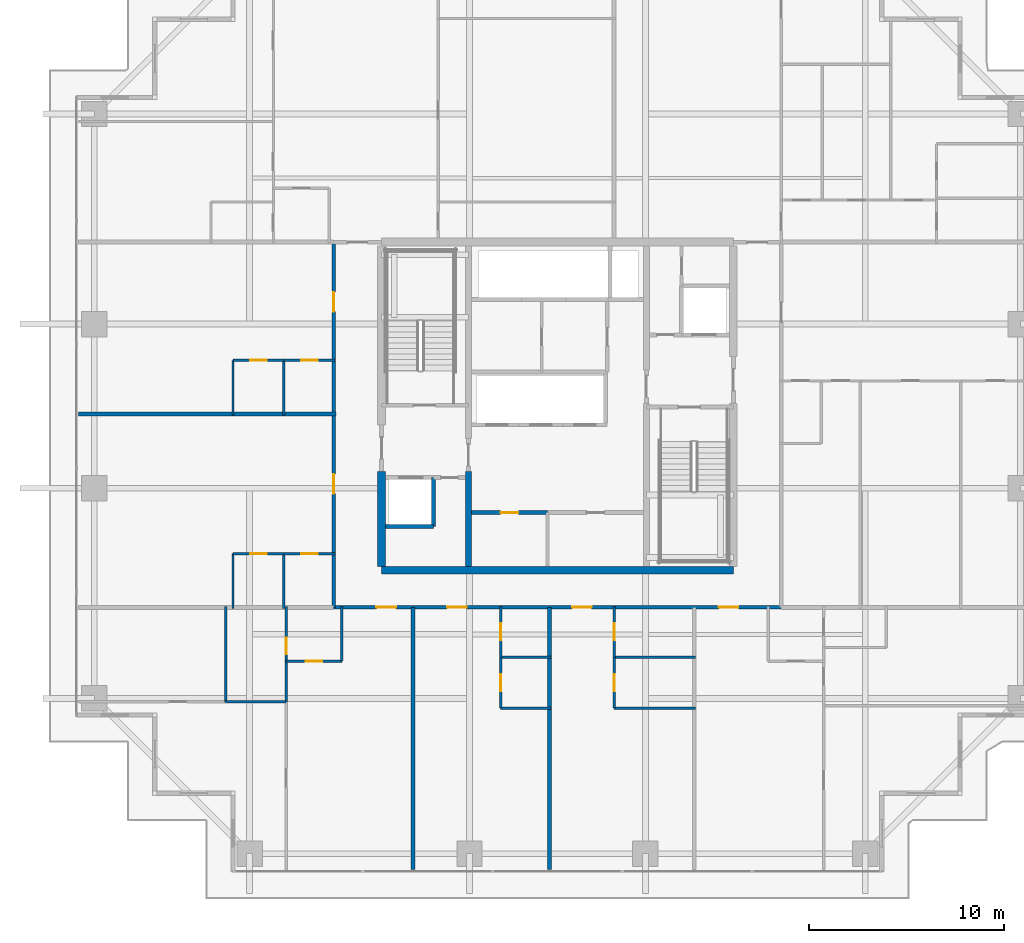
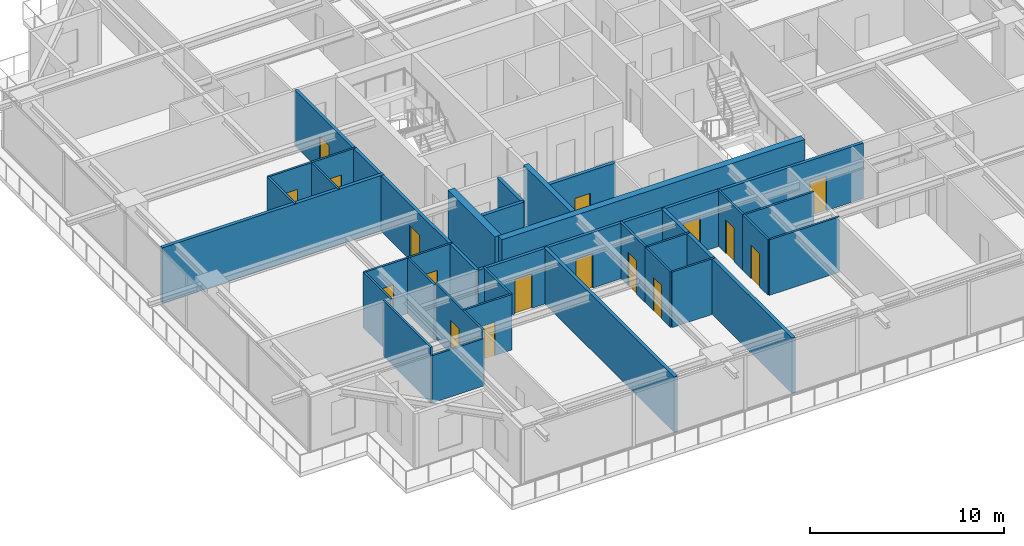
# One storey, part 23 of 33: 32 walls, 17 doors, 17 openings.
"""IFC4 building model written with IfcOpenShell, lengths in metres."""

from ifc_helpers import new_model, si_unit, direction, frame, frame_2d, origin, place, context, subcontext, project, spatial, rectangle, extrude, source, transform, mapped, material, layer, layer_set, type_object, element, fill, save


model = new_model("IFC4")

# Units and contexts
model_context = context("Model", 3, precision=1e-05, world=origin(), true_north=direction((0.0, 1.0)))
body_context = subcontext(model_context, "Body", "Model", "MODEL_VIEW")
ifc_project = project(units=[si_unit("LENGTHUNIT", "METRE"), si_unit("AREAUNIT", "SQUARE_METRE"), si_unit("VOLUMEUNIT", "CUBIC_METRE"), si_unit("PLANEANGLEUNIT", "RADIAN"), si_unit("MASSUNIT", "GRAM", prefix="KILO")], contexts=[model_context])

# Site, building, storey
site_placement = place(None, origin())
site = spatial("IfcSite", under=ifc_project, at=site_placement, CompositionType="ELEMENT")
building_placement = place(site_placement, origin())
building = spatial("IfcBuilding", under=site, at=building_placement, Name="Serunith Strait Residences", CompositionType="ELEMENT")
storey_placement = place(building_placement, frame((0.0, 0.0, 150.14990234375)))
storey = spatial("IfcBuildingStorey", under=building, at=storey_placement, Name="L37", CompositionType="ELEMENT", Elevation=150.14990234375)

# Wall, openings, doors
ifc_material_1 = material(Name="Fire-rated acoustic gypsum partition")
ifc_layer_1 = layer(ifc_material_1, 0.179931640625, Name="Fire-rated acoustic gypsum partition")
ifc_layer_set_1 = layer_set([ifc_layer_1], Name="Fire-rated acoustic gypsum partition")
wall_type_1 = type_object("IfcWallType", Name="IW-CORR-180", PredefinedType="PARTITIONING", material=ifc_layer_set_1)
wall_1_placement = place(storey_placement, frame((20.951904296875, 14.89990234375, 0.0), z_axis=(0.0, 0.0, 1.0), x_axis=(1.0, 0.0, 0.0)))
wall_1 = element("IfcWall", 1, at=wall_1_placement, inside=storey, type_object=wall_type_1, Name="L37 Partition Wall 027", PredefinedType="PARTITIONING", context=body_context, shape_type="SweptSolid", body=[
    extrude(rectangle(XDim=22.89599609375, YDim=0.179931640625, at=frame_2d((11.447998046875, 0.0))), origin(), (0.0, 0.0, 1.0), 3.489990234375),
])
opening_1_placement = place(wall_1_placement, frame((2.18994140625, 0.0, 0.0)))
opening_1 = element("IfcOpeningElement", 2, at=opening_1_placement, cuts=wall_1, Name="Opening D-APT1000", PredefinedType="OPENING", context=body_context, shape_type="SweptSolid", body=[
    extrude(rectangle(XDim=1.0, YDim=2.14990234375, at=frame_2d((0.5, 1.074951171875))), frame((0.0, 0.10009765625, 0.0), z_axis=(0.0, -1.0, 0.0), x_axis=(1.0, 0.0, 0.0)), (0.0, 0.0, 1.0), 0.199951171875),
])
opening_2_placement = place(wall_1_placement, frame((5.802001953125, 0.0, 0.0)))
opening_2 = element("IfcOpeningElement", 3, at=opening_2_placement, cuts=wall_1, Name="Opening D-APT1000", PredefinedType="OPENING", context=body_context, shape_type="SweptSolid", body=[
    extrude(rectangle(XDim=1.0, YDim=2.14990234375, at=frame_2d((0.5, 1.074951171875))), frame((0.0, 0.10009765625, 0.0), z_axis=(0.0, -1.0, 0.0), x_axis=(1.0, 0.0, 0.0)), (0.0, 0.0, 1.0), 0.199951171875),
])
opening_3_placement = place(wall_1_placement, frame((12.196044921875, 0.0, 0.0)))
opening_3 = element("IfcOpeningElement", 4, at=opening_3_placement, cuts=wall_1, Name="Opening D-APT1000", PredefinedType="OPENING", context=body_context, shape_type="SweptSolid", body=[
    extrude(rectangle(XDim=1.0, YDim=2.14990234375, at=frame_2d((0.5, 1.074951171875))), frame((0.0, 0.10009765625, 0.0), z_axis=(0.0, -1.0, 0.0), x_axis=(1.0, 0.0, 0.0)), (0.0, 0.0, 1.0), 0.199951171875),
])
opening_4_placement = place(wall_1_placement, frame((19.7060546875, 0.0, 0.0)))
opening_4 = element("IfcOpeningElement", 5, at=opening_4_placement, cuts=wall_1, Name="Opening D-APT1000", PredefinedType="OPENING", context=body_context, shape_type="SweptSolid", body=[
    extrude(rectangle(XDim=1.0, YDim=2.14990234375, at=frame_2d((0.5, 1.074951171875))), frame((0.0, 0.10009765625, 0.0), z_axis=(0.0, -1.0, 0.0), x_axis=(1.0, 0.0, 0.0)), (0.0, 0.0, 1.0), 0.199951171875),
])
ifc_material_2 = material(Name="Solid timber engineered fire door", Category="wood")
door_type_1 = type_object("IfcDoorType", Name="ID-APT-1000", OperationType="NOTDEFINED", PredefinedType="DOOR", material=ifc_material_2)
shared_shape_1 = source(origin(), body_context, "Body", "SweptSolid", [
    extrude(rectangle(XDim=1.0, YDim=2.14990234375, at=frame_2d((0.5, 1.074951171875))), frame((0.0, 0.02490234375, 0.0), z_axis=(0.0, -1.0, 0.0), x_axis=(1.0, 0.0, 0.0)), (0.0, 0.0, 1.0), 0.050048828125),
])
door_1_placement = place(opening_1_placement, origin())
door_1 = element("IfcDoor", 6, at=door_1_placement, inside=storey, type_object=door_type_1, Name="L37 Unit 01 Entrance Door", OperationType="SINGLE_SWING_LEFT", OverallHeight=2.14990234375, OverallWidth=1.0, PredefinedType="DOOR", context=body_context, shape_type="MappedRepresentation", body=[
    mapped(shared_shape_1, transform((0.0, 0.0, 0.0), scale=1.0)),
])
fill(opening_1, door_1)
door_2_placement = place(opening_2_placement, origin())
door_2 = element("IfcDoor", 7, at=door_2_placement, inside=storey, type_object=door_type_1, Name="L37 Unit 02 Entrance Door", OperationType="SINGLE_SWING_RIGHT", OverallHeight=2.14990234375, OverallWidth=1.0, PredefinedType="DOOR", context=body_context, shape_type="MappedRepresentation", body=[
    mapped(shared_shape_1, transform((0.0, 0.0, 0.0), scale=1.0)),
])
fill(opening_2, door_2)
door_3_placement = place(opening_3_placement, origin())
door_3 = element("IfcDoor", 8, at=door_3_placement, inside=storey, type_object=door_type_1, Name="L37 Unit 03 Entrance Door", OperationType="SINGLE_SWING_LEFT", OverallHeight=2.14990234375, OverallWidth=1.0, PredefinedType="DOOR", context=body_context, shape_type="MappedRepresentation", body=[
    mapped(shared_shape_1, transform((0.0, 0.0, 0.0), scale=1.0)),
])
fill(opening_3, door_3)
door_4_placement = place(opening_4_placement, origin())
door_4 = element("IfcDoor", 9, at=door_4_placement, inside=storey, type_object=door_type_1, Name="L37 Unit 04 Entrance Door", OperationType="SINGLE_SWING_RIGHT", OverallHeight=2.14990234375, OverallWidth=1.0, PredefinedType="DOOR", context=body_context, shape_type="MappedRepresentation", body=[
    mapped(shared_shape_1, transform((0.0, 0.0, 0.0), scale=1.0)),
])
fill(opening_4, door_4)

wall_2_placement = place(storey_placement, frame((20.949951171875, 14.89990234375, 0.0), z_axis=(0.0, 0.0, 1.0), x_axis=(0.0, 1.0, 0.0)))
wall_2 = element("IfcWall", 10, at=wall_2_placement, inside=storey, type_object=wall_type_1, Name="L37 Partition Wall 028", PredefinedType="PARTITIONING", context=body_context, shape_type="SweptSolid", body=[
    extrude(rectangle(XDim=18.7001953125, YDim=0.179931640625, at=frame_2d((9.35009765625, 0.0))), origin(), (0.0, 0.0, 1.0), 3.489990234375),
])
opening_5_placement = place(wall_2_placement, frame((5.822998046875, 0.0, 0.0)))
opening_5 = element("IfcOpeningElement", 11, at=opening_5_placement, cuts=wall_2, Name="Opening D-APT1000", PredefinedType="OPENING", context=body_context, shape_type="SweptSolid", body=[
    extrude(rectangle(XDim=1.0, YDim=2.14990234375, at=frame_2d((0.5, 1.074951171875))), frame((0.0, 0.10009765625, 0.0), z_axis=(0.0, -1.0, 0.0), x_axis=(1.0, 0.0, 0.0)), (0.0, 0.0, 1.0), 0.199951171875),
])
opening_6_placement = place(wall_2_placement, frame((15.134033203125, 0.0, 0.0)))
opening_6 = element("IfcOpeningElement", 12, at=opening_6_placement, cuts=wall_2, Name="Opening D-APT1000", PredefinedType="OPENING", context=body_context, shape_type="SweptSolid", body=[
    extrude(rectangle(XDim=1.0, YDim=2.14990234375, at=frame_2d((0.5, 1.074951171875))), frame((0.0, 0.10009765625, 0.0), z_axis=(0.0, -1.0, 0.0), x_axis=(1.0, 0.0, 0.0)), (0.0, 0.0, 1.0), 0.199951171875),
])
door_5_placement = place(opening_5_placement, origin())
door_5 = element("IfcDoor", 13, at=door_5_placement, inside=storey, type_object=door_type_1, Name="L37 Unit 07 Entrance Door", OperationType="SINGLE_SWING_LEFT", OverallHeight=2.14990234375, OverallWidth=1.0, PredefinedType="DOOR", context=body_context, shape_type="MappedRepresentation", body=[
    mapped(shared_shape_1, transform((0.0, 0.0, 0.0), scale=1.0)),
])
fill(opening_5, door_5)
door_6_placement = place(opening_6_placement, origin())
door_6 = element("IfcDoor", 14, at=door_6_placement, inside=storey, type_object=door_type_1, Name="L37 Unit 08 Entrance Door", OperationType="SINGLE_SWING_RIGHT", OverallHeight=2.14990234375, OverallWidth=1.0, PredefinedType="DOOR", context=body_context, shape_type="MappedRepresentation", body=[
    mapped(shared_shape_1, transform((0.0, 0.0, 0.0), scale=1.0)),
])
fill(opening_6, door_6)

# Wall, opening, door
ifc_material_3 = material(Name="Lightweight steel-stud gypsum partition", Category="steel")
ifc_layer_2 = layer(ifc_material_3, 0.1201171875, Name="Lightweight steel-stud gypsum partition")
ifc_layer_set_2 = layer_set([ifc_layer_2], Name="Lightweight steel-stud gypsum partition")
wall_type_2 = type_object("IfcWallType", Name="IW-PART-120", PredefinedType="PARTITIONING", material=ifc_layer_set_2)
wall_3_placement = place(storey_placement, frame((18.52001953125, 12.14990234375, 0.0), z_axis=(0.0, 0.0, 1.0), x_axis=(1.0, 0.0, 0.0)))
wall_3 = element("IfcWall", 15, at=wall_3_placement, inside=storey, type_object=wall_type_2, Name="L37 Partition Wall 032", PredefinedType="PARTITIONING", context=body_context, shape_type="SweptSolid", body=[
    extrude(rectangle(XDim=2.85009765625, YDim=0.1201171875, at=frame_2d((1.425048828125, 0.0))), origin(), (0.0, 0.0, 1.0), 3.489990234375),
])
opening_7_placement = place(wall_3_placement, frame((1.0, 0.0, 0.0)))
opening_7 = element("IfcOpeningElement", 16, at=opening_7_placement, cuts=wall_3, Name="Opening D-RM850", PredefinedType="OPENING", context=body_context, shape_type="SweptSolid", body=[
    extrude(rectangle(XDim=0.85009765625, YDim=2.10009765625, at=frame_2d((0.425048828125, 1.050048828125))), frame((0.0, 0.070068359375, 0.0), z_axis=(0.0, -1.0, 0.0), x_axis=(1.0, 0.0, 0.0)), (0.0, 0.0, 1.0), 0.14013671875),
])
ifc_material_4 = material(Name="Engineered timber flush study and kitchen door", Category="wood")
door_type_2 = type_object("IfcDoorType", Name="ID-ROOM-850", OperationType="NOTDEFINED", PredefinedType="DOOR", material=ifc_material_4)
shared_shape_2 = source(origin(), body_context, "Body", "SweptSolid", [
    extrude(rectangle(XDim=0.85009765625, YDim=2.10009765625, at=frame_2d((0.425048828125, 1.050048828125))), frame((0.0, 0.02490234375, 0.0), z_axis=(0.0, -1.0, 0.0), x_axis=(1.0, 0.0, 0.0)), (0.0, 0.0, 1.0), 0.050048828125),
])
door_7_placement = place(opening_7_placement, origin())
door_7 = element("IfcDoor", 17, at=door_7_placement, inside=storey, type_object=door_type_2, Name="L37 Kitchen 3701 Door", OperationType="SINGLE_SWING_RIGHT", OverallHeight=2.10009765625, OverallWidth=0.85009765625, PredefinedType="DOOR", context=body_context, shape_type="MappedRepresentation", body=[
    mapped(shared_shape_2, transform((0.0, 0.0, 0.0), scale=1.0)),
])
fill(opening_7, door_7)

# Walls
wall_4_placement = place(storey_placement, frame((21.3701171875, 12.14990234375, 0.0), z_axis=(0.0, 0.0, 1.0), x_axis=(0.0, 1.0, 0.0)))
element("IfcWall", 18, at=wall_4_placement, inside=storey, type_object=wall_type_2, Name="L37 Partition Wall 033", PredefinedType="PARTITIONING", context=body_context, shape_type="SweptSolid", body=[
    extrude(rectangle(XDim=2.81005859375, YDim=0.1201171875, at=frame_2d((1.405029296875, 0.0))), origin(), (0.0, 0.0, 1.0), 3.489990234375),
])
wall_5_placement = place(storey_placement, frame((15.422119140625, 10.069091796875, 0.0), z_axis=(0.0, 0.0, 1.0), x_axis=(1.0, 0.0, 0.0)))
element("IfcWall", 19, at=wall_5_placement, inside=storey, type_object=wall_type_2, Name="L37 Partition Wall 036", PredefinedType="PARTITIONING", context=body_context, shape_type="SweptSolid", body=[
    extrude(rectangle(XDim=3.097900390625, YDim=0.1201171875, at=frame_2d((1.548828125, 0.0))), origin(), (0.0, 0.0, 1.0), 2.97216796875),
])
wall_6_placement = place(storey_placement, frame((15.419921875, 10.069091796875, 0.0), z_axis=(0.0, 0.0, 1.0), x_axis=(0.0, 1.0, 0.0)))
element("IfcWall", 20, at=wall_6_placement, inside=storey, type_object=wall_type_2, Name="L37 Partition Wall 037", PredefinedType="PARTITIONING", context=body_context, shape_type="SweptSolid", body=[
    extrude(rectangle(XDim=4.890869140625, YDim=0.1201171875, at=frame_2d((2.4453125, 0.0))), origin(), (0.0, 0.0, 1.0), 3.489990234375),
])

# Wall, opening, door
wall_7_placement = place(storey_placement, frame((18.52001953125, 10.071044921875, 0.0), z_axis=(0.0, 0.0, 1.0), x_axis=(0.0, 1.0, 0.0)))
wall_7 = element("IfcWall", 21, at=wall_7_placement, inside=storey, type_object=wall_type_2, Name="L37 Partition Wall 038", PredefinedType="PARTITIONING", context=body_context, shape_type="SweptSolid", body=[
    extrude(rectangle(XDim=4.888916015625, YDim=0.1201171875, at=frame_2d((2.4443359375, 0.0))), origin(), (0.0, 0.0, 1.0), 3.489990234375),
])
opening_8_placement = place(wall_7_placement, frame((2.43994140625, 0.0, 0.0)))
opening_8 = element("IfcOpeningElement", 22, at=opening_8_placement, cuts=wall_7, Name="Opening D-BTH850", PredefinedType="OPENING", context=body_context, shape_type="SweptSolid", body=[
    extrude(rectangle(XDim=0.85009765625, YDim=2.10009765625, at=frame_2d((0.425048828125, 1.050048828125))), frame((0.0, 0.070068359375, 0.0), z_axis=(0.0, -1.0, 0.0), x_axis=(1.0, 0.0, 0.0)), (0.0, 0.0, 1.0), 0.14013671875),
])
ifc_material_5 = material(Name="Moisture-resistant timber bathroom door", Category="wood")
door_type_3 = type_object("IfcDoorType", Name="ID-BATH-850", OperationType="NOTDEFINED", PredefinedType="DOOR", material=ifc_material_5)
door_8_placement = place(opening_8_placement, origin())
door_8 = element("IfcDoor", 23, at=door_8_placement, inside=storey, type_object=door_type_3, Name="L37 Bathroom 3701 Door", OperationType="SINGLE_SWING_LEFT", OverallHeight=2.10009765625, OverallWidth=0.85009765625, PredefinedType="DOOR", context=body_context, shape_type="MappedRepresentation", body=[
    mapped(shared_shape_2, transform((0.0, 0.0, 0.0), scale=1.0)),
])
fill(opening_8, door_8)

wall_8_placement = place(storey_placement, frame((29.5, 9.75, 0.0), z_axis=(0.0, 0.0, 1.0), x_axis=(0.0, 1.0, 0.0)))
wall_8 = element("IfcWall", 24, at=wall_8_placement, inside=storey, type_object=wall_type_2, Name="L37 Partition Wall 039", PredefinedType="PARTITIONING", context=body_context, shape_type="SweptSolid", body=[
    extrude(rectangle(XDim=2.60009765625, YDim=0.1201171875, at=frame_2d((1.300048828125, 0.0))), origin(), (0.0, 0.0, 1.0), 3.489990234375),
])
opening_9_placement = place(wall_8_placement, frame((0.875, 0.0, 0.0)))
opening_9 = element("IfcOpeningElement", 25, at=opening_9_placement, cuts=wall_8, Name="Opening D-RM850", PredefinedType="OPENING", context=body_context, shape_type="SweptSolid", body=[
    extrude(rectangle(XDim=0.85009765625, YDim=2.10009765625, at=frame_2d((0.425048828125, 1.050048828125))), frame((0.0, 0.070068359375, 0.0), z_axis=(0.0, -1.0, 0.0), x_axis=(1.0, 0.0, 0.0)), (0.0, 0.0, 1.0), 0.14013671875),
])
door_9_placement = place(opening_9_placement, origin())
door_9 = element("IfcDoor", 26, at=door_9_placement, inside=storey, type_object=door_type_2, Name="L37 Kitchen 3702 Door", OperationType="SINGLE_SWING_RIGHT", OverallHeight=2.10009765625, OverallWidth=0.85009765625, PredefinedType="DOOR", context=body_context, shape_type="MappedRepresentation", body=[
    mapped(shared_shape_2, transform((0.0, 0.0, 0.0), scale=1.0)),
])
fill(opening_9, door_9)

wall_9_placement = place(storey_placement, frame((29.5, 12.35205078125, 0.0), z_axis=(0.0, 0.0, 1.0), x_axis=(0.0, 1.0, 0.0)))
wall_9 = element("IfcWall", 27, at=wall_9_placement, inside=storey, type_object=wall_type_2, Name="L37 Partition Wall 040", PredefinedType="PARTITIONING", context=body_context, shape_type="SweptSolid", body=[
    extrude(rectangle(XDim=2.60791015625, YDim=0.1201171875, at=frame_2d((1.303955078125, 0.0))), origin(), (0.0, 0.0, 1.0), 3.489990234375),
])
opening_10_placement = place(wall_9_placement, frame((0.87890625, 0.0, 0.0)))
opening_10 = element("IfcOpeningElement", 28, at=opening_10_placement, cuts=wall_9, Name="Opening D-BTH850", PredefinedType="OPENING", context=body_context, shape_type="SweptSolid", body=[
    extrude(rectangle(XDim=0.85009765625, YDim=2.10009765625, at=frame_2d((0.425048828125, 1.050048828125))), frame((0.0, 0.070068359375, 0.0), z_axis=(0.0, -1.0, 0.0), x_axis=(1.0, 0.0, 0.0)), (0.0, 0.0, 1.0), 0.14013671875),
])
door_10_placement = place(opening_10_placement, origin())
door_10 = element("IfcDoor", 29, at=door_10_placement, inside=storey, type_object=door_type_3, Name="L37 Bathroom 3702 Door", OperationType="SINGLE_SWING_LEFT", OverallHeight=2.10009765625, OverallWidth=0.85009765625, PredefinedType="DOOR", context=body_context, shape_type="MappedRepresentation", body=[
    mapped(shared_shape_2, transform((0.0, 0.0, 0.0), scale=1.0)),
])
fill(opening_10, door_10)

# Walls
for number, where, z_axis, x_axis, name in (
    (30, (29.5, 12.35009765625, 0.0), (0.0, 0.0, 1.0), (1.0, 0.0, 0.0), "L37 Partition Wall 041"),
    (31, (29.5, 9.75, 0.0), (0.0, 0.0, 1.0), (1.0, 0.0, 0.0), "L37 Partition Wall 042"),
):
    element("IfcWall", number, at=place(storey_placement, frame(where, z_axis=z_axis, x_axis=x_axis)), inside=storey, type_object=wall_type_2, Name=name, PredefinedType="PARTITIONING", context=body_context, shape_type="SweptSolid", body=[
        extrude(rectangle(XDim=2.56005859375, YDim=0.1201171875, at=frame_2d((1.280029296875, 0.0))), origin(), (0.0, 0.0, 1.0), 3.489990234375),
    ])

# Wall, opening, door
wall_10_placement = place(storey_placement, frame((35.300048828125, 9.75, 0.0), z_axis=(0.0, 0.0, 1.0), x_axis=(0.0, 1.0, 0.0)))
wall_10 = element("IfcWall", 32, at=wall_10_placement, inside=storey, type_object=wall_type_2, Name="L37 Partition Wall 043", PredefinedType="PARTITIONING", context=body_context, shape_type="SweptSolid", body=[
    extrude(rectangle(XDim=2.60009765625, YDim=0.1201171875, at=frame_2d((1.300048828125, 0.0))), origin(), (0.0, 0.0, 1.0), 3.489990234375),
])
opening_11_placement = place(wall_10_placement, frame((0.875, 0.0, 0.0)))
opening_11 = element("IfcOpeningElement", 33, at=opening_11_placement, cuts=wall_10, Name="Opening D-RM850", PredefinedType="OPENING", context=body_context, shape_type="SweptSolid", body=[
    extrude(rectangle(XDim=0.85009765625, YDim=2.10009765625, at=frame_2d((0.425048828125, 1.050048828125))), frame((0.0, 0.070068359375, 0.0), z_axis=(0.0, -1.0, 0.0), x_axis=(1.0, 0.0, 0.0)), (0.0, 0.0, 1.0), 0.14013671875),
])
door_11_placement = place(opening_11_placement, origin())
door_11 = element("IfcDoor", 34, at=door_11_placement, inside=storey, type_object=door_type_2, Name="L37 Kitchen 3703 Door", OperationType="SINGLE_SWING_RIGHT", OverallHeight=2.10009765625, OverallWidth=0.85009765625, PredefinedType="DOOR", context=body_context, shape_type="MappedRepresentation", body=[
    mapped(shared_shape_2, transform((0.0, 0.0, 0.0), scale=1.0)),
])
fill(opening_11, door_11)

wall_11_placement = place(storey_placement, frame((35.300048828125, 12.35205078125, 0.0), z_axis=(0.0, 0.0, 1.0), x_axis=(0.0, 1.0, 0.0)))
wall_11 = element("IfcWall", 35, at=wall_11_placement, inside=storey, type_object=wall_type_2, Name="L37 Partition Wall 044", PredefinedType="PARTITIONING", context=body_context, shape_type="SweptSolid", body=[
    extrude(rectangle(XDim=2.60791015625, YDim=0.1201171875, at=frame_2d((1.303955078125, 0.0))), origin(), (0.0, 0.0, 1.0), 3.489990234375),
])
opening_12_placement = place(wall_11_placement, frame((0.87890625, 0.0, 0.0)))
opening_12 = element("IfcOpeningElement", 36, at=opening_12_placement, cuts=wall_11, Name="Opening D-BTH850", PredefinedType="OPENING", context=body_context, shape_type="SweptSolid", body=[
    extrude(rectangle(XDim=0.85009765625, YDim=2.10009765625, at=frame_2d((0.425048828125, 1.050048828125))), frame((0.0, 0.070068359375, 0.0), z_axis=(0.0, -1.0, 0.0), x_axis=(1.0, 0.0, 0.0)), (0.0, 0.0, 1.0), 0.14013671875),
])
door_12_placement = place(opening_12_placement, origin())
door_12 = element("IfcDoor", 37, at=door_12_placement, inside=storey, type_object=door_type_3, Name="L37 Bathroom 3703 Door", OperationType="SINGLE_SWING_LEFT", OverallHeight=2.10009765625, OverallWidth=0.85009765625, PredefinedType="DOOR", context=body_context, shape_type="MappedRepresentation", body=[
    mapped(shared_shape_2, transform((0.0, 0.0, 0.0), scale=1.0)),
])
fill(opening_12, door_12)

# Walls
for number, where, z_axis, x_axis, name in (
    (38, (35.300048828125, 12.35009765625, 0.0), (0.0, 0.0, 1.0), (1.0, 0.0, 0.0), "L37 Partition Wall 045"),
    (39, (35.300048828125, 9.75, 0.0), (0.0, 0.0, 1.0), (1.0, 0.0, 0.0), "L37 Partition Wall 046"),
):
    element("IfcWall", number, at=place(storey_placement, frame(where, z_axis=z_axis, x_axis=x_axis)), inside=storey, type_object=wall_type_2, Name=name, PredefinedType="PARTITIONING", context=body_context, shape_type="SweptSolid", body=[
        extrude(rectangle(XDim=4.159912109375, YDim=0.1201171875, at=frame_2d((2.080078125, 0.0))), origin(), (0.0, 0.0, 1.0), 3.489990234375),
    ])

# Wall, opening, door
wall_12_placement = place(storey_placement, frame((15.800048828125, 17.64990234375, 0.0), z_axis=(0.0, 0.0, 1.0), x_axis=(1.0, 0.0, 0.0)))
wall_12 = element("IfcWall", 40, at=wall_12_placement, inside=storey, type_object=wall_type_2, Name="L37 Partition Wall 081", PredefinedType="PARTITIONING", context=body_context, shape_type="SweptSolid", body=[
    extrude(rectangle(XDim=2.599853515625, YDim=0.1201171875, at=frame_2d((1.2998046875, 0.0))), origin(), (0.0, 0.0, 1.0), 3.489990234375),
])
opening_13_placement = place(wall_12_placement, frame((0.875, 0.0, 0.0)))
opening_13 = element("IfcOpeningElement", 41, at=opening_13_placement, cuts=wall_12, Name="Opening D-RM850", PredefinedType="OPENING", context=body_context, shape_type="SweptSolid", body=[
    extrude(rectangle(XDim=0.85009765625, YDim=2.10009765625, at=frame_2d((0.425048828125, 1.050048828125))), frame((0.0, 0.070068359375, 0.0), z_axis=(0.0, -1.0, 0.0), x_axis=(1.0, 0.0, 0.0)), (0.0, 0.0, 1.0), 0.14013671875),
])
door_13_placement = place(opening_13_placement, origin())
door_13 = element("IfcDoor", 42, at=door_13_placement, inside=storey, type_object=door_type_2, Name="L37 Kitchen 3707 Door", OperationType="SINGLE_SWING_RIGHT", OverallHeight=2.10009765625, OverallWidth=0.85009765625, PredefinedType="DOOR", context=body_context, shape_type="MappedRepresentation", body=[
    mapped(shared_shape_2, transform((0.0, 0.0, 0.0), scale=1.0)),
])
fill(opening_13, door_13)

wall_13_placement = place(storey_placement, frame((18.402099609375, 17.64990234375, 0.0), z_axis=(0.0, 0.0, 1.0), x_axis=(1.0, 0.0, 0.0)))
wall_13 = element("IfcWall", 43, at=wall_13_placement, inside=storey, type_object=wall_type_2, Name="L37 Partition Wall 082", PredefinedType="PARTITIONING", context=body_context, shape_type="SweptSolid", body=[
    extrude(rectangle(XDim=2.60791015625, YDim=0.1201171875, at=frame_2d((1.303955078125, 0.0))), origin(), (0.0, 0.0, 1.0), 3.489990234375),
])
opening_14_placement = place(wall_13_placement, frame((0.87890625, 0.0, 0.0)))
opening_14 = element("IfcOpeningElement", 44, at=opening_14_placement, cuts=wall_13, Name="Opening D-BTH850", PredefinedType="OPENING", context=body_context, shape_type="SweptSolid", body=[
    extrude(rectangle(XDim=0.85009765625, YDim=2.10009765625, at=frame_2d((0.425048828125, 1.050048828125))), frame((0.0, 0.070068359375, 0.0), z_axis=(0.0, -1.0, 0.0), x_axis=(1.0, 0.0, 0.0)), (0.0, 0.0, 1.0), 0.14013671875),
])
door_14_placement = place(opening_14_placement, origin())
door_14 = element("IfcDoor", 45, at=door_14_placement, inside=storey, type_object=door_type_3, Name="L37 Bathroom 3707 Door", OperationType="SINGLE_SWING_LEFT", OverallHeight=2.10009765625, OverallWidth=0.85009765625, PredefinedType="DOOR", context=body_context, shape_type="MappedRepresentation", body=[
    mapped(shared_shape_2, transform((0.0, 0.0, 0.0), scale=1.0)),
])
fill(opening_14, door_14)

# Walls
for number, where, z_axis, x_axis, name in (
    (46, (18.39990234375, 14.840087890625, 0.0), (0.0, 0.0, 1.0), (0.0, 1.0, 0.0), "L37 Partition Wall 083"),
    (47, (15.800048828125, 14.840087890625, 0.0), (0.0, 0.0, 1.0), (0.0, 1.0, 0.0), "L37 Partition Wall 084"),
):
    element("IfcWall", number, at=place(storey_placement, frame(where, z_axis=z_axis, x_axis=x_axis)), inside=storey, type_object=wall_type_2, Name=name, PredefinedType="PARTITIONING", context=body_context, shape_type="SweptSolid", body=[
        extrude(rectangle(XDim=2.809814453125, YDim=0.1201171875, at=frame_2d((1.40478515625, 0.0))), origin(), (0.0, 0.0, 1.0), 3.489990234375),
    ])

# Wall, opening, door
wall_14_placement = place(storey_placement, frame((15.800048828125, 27.550048828125, 0.0), z_axis=(0.0, 0.0, 1.0), x_axis=(1.0, 0.0, 0.0)))
wall_14 = element("IfcWall", 48, at=wall_14_placement, inside=storey, type_object=wall_type_2, Name="L37 Partition Wall 085", PredefinedType="PARTITIONING", context=body_context, shape_type="SweptSolid", body=[
    extrude(rectangle(XDim=2.599853515625, YDim=0.1201171875, at=frame_2d((1.2998046875, 0.0))), origin(), (0.0, 0.0, 1.0), 3.489990234375),
])
opening_15_placement = place(wall_14_placement, frame((0.875, 0.0, 0.0)))
opening_15 = element("IfcOpeningElement", 49, at=opening_15_placement, cuts=wall_14, Name="Opening D-RM850", PredefinedType="OPENING", context=body_context, shape_type="SweptSolid", body=[
    extrude(rectangle(XDim=0.85009765625, YDim=2.10009765625, at=frame_2d((0.425048828125, 1.050048828125))), frame((0.0, 0.070068359375, 0.0), z_axis=(0.0, -1.0, 0.0), x_axis=(1.0, 0.0, 0.0)), (0.0, 0.0, 1.0), 0.14013671875),
])
door_15_placement = place(opening_15_placement, origin())
door_15 = element("IfcDoor", 50, at=door_15_placement, inside=storey, type_object=door_type_2, Name="L37 Kitchen 3708 Door", OperationType="SINGLE_SWING_RIGHT", OverallHeight=2.10009765625, OverallWidth=0.85009765625, PredefinedType="DOOR", context=body_context, shape_type="MappedRepresentation", body=[
    mapped(shared_shape_2, transform((0.0, 0.0, 0.0), scale=1.0)),
])
fill(opening_15, door_15)

wall_15_placement = place(storey_placement, frame((18.402099609375, 27.550048828125, 0.0), z_axis=(0.0, 0.0, 1.0), x_axis=(1.0, 0.0, 0.0)))
wall_15 = element("IfcWall", 51, at=wall_15_placement, inside=storey, type_object=wall_type_2, Name="L37 Partition Wall 086", PredefinedType="PARTITIONING", context=body_context, shape_type="SweptSolid", body=[
    extrude(rectangle(XDim=2.60791015625, YDim=0.1201171875, at=frame_2d((1.303955078125, 0.0))), origin(), (0.0, 0.0, 1.0), 3.489990234375),
])
opening_16_placement = place(wall_15_placement, frame((0.87890625, 0.0, 0.0)))
opening_16 = element("IfcOpeningElement", 52, at=opening_16_placement, cuts=wall_15, Name="Opening D-BTH850", PredefinedType="OPENING", context=body_context, shape_type="SweptSolid", body=[
    extrude(rectangle(XDim=0.85009765625, YDim=2.10009765625, at=frame_2d((0.425048828125, 1.050048828125))), frame((0.0, 0.070068359375, 0.0), z_axis=(0.0, -1.0, 0.0), x_axis=(1.0, 0.0, 0.0)), (0.0, 0.0, 1.0), 0.14013671875),
])
door_16_placement = place(opening_16_placement, origin())
door_16 = element("IfcDoor", 53, at=door_16_placement, inside=storey, type_object=door_type_3, Name="L37 Bathroom 3708 Door", OperationType="SINGLE_SWING_LEFT", OverallHeight=2.10009765625, OverallWidth=0.85009765625, PredefinedType="DOOR", context=body_context, shape_type="MappedRepresentation", body=[
    mapped(shared_shape_2, transform((0.0, 0.0, 0.0), scale=1.0)),
])
fill(opening_16, door_16)

# Walls
for number, where, z_axis, x_axis, name in (
    (54, (18.39990234375, 24.739990234375, 0.0), (0.0, 0.0, 1.0), (0.0, 1.0, 0.0), "L37 Partition Wall 087"),
    (55, (15.800048828125, 24.739990234375, 0.0), (0.0, 0.0, 1.0), (0.0, 1.0, 0.0), "L37 Partition Wall 088"),
):
    element("IfcWall", number, at=place(storey_placement, frame(where, z_axis=z_axis, x_axis=x_axis)), inside=storey, type_object=wall_type_2, Name=name, PredefinedType="PARTITIONING", context=body_context, shape_type="SweptSolid", body=[
        extrude(rectangle(XDim=2.81005859375, YDim=0.1201171875, at=frame_2d((1.405029296875, 0.0))), origin(), (0.0, 0.0, 1.0), 3.489990234375),
    ])
ifc_material_6 = material(Name="Twin-stud acoustic gypsum board partition")
ifc_layer_3 = layer(ifc_material_6, 0.199951171875, Name="Twin-stud acoustic gypsum board partition")
ifc_layer_set_3 = layer_set([ifc_layer_3], Name="Twin-stud acoustic gypsum board partition")
wall_type_3 = type_object("IfcWallType", Name="IW-PARTY-200", PredefinedType="PARTITIONING", material=ifc_layer_set_3)
for number, where, z_axis, x_axis, name in (
    (56, (25.0, 1.48193359375, 0.0), (0.0, 0.0, 1.0), (0.0, 1.0, 0.0), "L37 Partition Wall 018"),
    (57, (32.0, 1.48193359375, 0.0), (0.0, 0.0, 1.0), (0.0, 1.0, 0.0), "L37 Partition Wall 019"),
):
    element("IfcWall", number, at=place(storey_placement, frame(where, z_axis=z_axis, x_axis=x_axis)), inside=storey, type_object=wall_type_3, Name=name, PredefinedType="PARTITIONING", context=body_context, shape_type="SweptSolid", body=[
        extrude(rectangle(XDim=13.41796875, YDim=0.199951171875, at=frame_2d((6.708984375, 0.0))), origin(), (0.0, 0.0, 1.0), 3.489990234375),
    ])
wall_16_placement = place(storey_placement, frame((7.882080078125, 24.800048828125, 0.0), z_axis=(0.0, 0.0, 1.0), x_axis=(1.0, 0.0, 0.0)))
element("IfcWall", 58, at=wall_16_placement, inside=storey, type_object=wall_type_3, Name="L37 Partition Wall 022", PredefinedType="PARTITIONING", context=body_context, shape_type="SweptSolid", body=[
    extrude(rectangle(XDim=13.18798828125, YDim=0.199951171875, at=frame_2d((6.593994140625, 0.0))), origin(), (0.0, 0.0, 1.0), 3.489990234375),
])
ifc_material_7 = material(Name="Autoclaved aerated concrete blockwork", Category="masonry")
ifc_layer_4 = layer(ifc_material_7, 0.199951171875, Name="Autoclaved aerated concrete blockwork")
ifc_layer_set_4 = layer_set([ifc_layer_4], Name="Autoclaved aerated concrete blockwork")
wall_type_4 = type_object("IfcWallType", Name="IW-SHAFT-200", PredefinedType="STANDARD", material=ifc_layer_set_4)
wall_17_placement = place(storey_placement, frame((26.050048828125, 19.050048828125, 0.0), z_axis=(0.0, 0.0, 1.0), x_axis=(0.0, 1.0, 0.0)))
element("IfcWall", 59, at=wall_17_placement, inside=storey, type_object=wall_type_4, Name="L37 Partition Wall 001", PredefinedType="STANDARD", context=body_context, shape_type="SweptSolid", body=[
    extrude(rectangle(XDim=2.5, YDim=0.199951171875, at=frame_2d((1.25, 0.0))), origin(), (0.0, 0.0, 1.0), 3.489990234375),
])
wall_18_placement = place(storey_placement, frame((23.60009765625, 19.050048828125, 0.0), z_axis=(0.0, 0.0, 1.0), x_axis=(1.0, 0.0, 0.0)))
element("IfcWall", 60, at=wall_18_placement, inside=storey, type_object=wall_type_4, Name="L37 Partition Wall 002", PredefinedType="STANDARD", context=body_context, shape_type="SweptSolid", body=[
    extrude(rectangle(XDim=2.449951171875, YDim=0.199951171875, at=frame_2d((1.22509765625, 0.0))), origin(), (0.0, 0.0, 1.0), 3.489990234375),
])

# Wall, opening, door
wall_19_placement = place(storey_placement, frame((28.0, 19.75, 0.0), z_axis=(0.0, 0.0, 1.0), x_axis=(1.0, 0.0, 0.0)))
wall_19 = element("IfcWall", 61, at=wall_19_placement, inside=storey, type_object=wall_type_4, Name="L37 Partition Wall 015", PredefinedType="STANDARD", context=body_context, shape_type="SweptSolid", body=[
    extrude(rectangle(XDim=3.89990234375, YDim=0.199951171875, at=frame_2d((1.949951171875, 0.0))), origin(), (0.0, 0.0, 1.0), 3.489990234375),
])
opening_17_placement = place(wall_19_placement, frame((1.5, 0.0, 0.0)))
opening_17 = element("IfcOpeningElement", 62, at=opening_17_placement, cuts=wall_19, Name="Opening FD-900", PredefinedType="OPENING", context=body_context, shape_type="SweptSolid", body=[
    extrude(rectangle(XDim=0.89990234375, YDim=2.10009765625, at=frame_2d((0.449951171875, 1.050048828125))), frame((0.0, 0.10986328125, 0.0), z_axis=(0.0, -1.0, 0.0), x_axis=(1.0, 0.0, 0.0)), (0.0, 0.0, 1.0), 0.219970703125),
])
ifc_material_8 = material(Name="Powder-coated steel riser door", Category="steel")
door_type_4 = type_object("IfcDoorType", Name="FD-BOH-900", OperationType="NOTDEFINED", PredefinedType="DOOR", material=ifc_material_8)
shared_shape_3 = source(origin(), body_context, "Body", "SweptSolid", [
    extrude(rectangle(XDim=0.89990234375, YDim=2.10009765625, at=frame_2d((0.449951171875, 1.050048828125))), frame((0.0, 0.02490234375, 0.0), z_axis=(0.0, -1.0, 0.0), x_axis=(1.0, 0.0, 0.0)), (0.0, 0.0, 1.0), 0.050048828125),
])
door_17_placement = place(opening_17_placement, origin())
door_17 = element("IfcDoor", 63, at=door_17_placement, inside=storey, type_object=door_type_4, Name="L37 Housekeeping Store Door", OperationType="SINGLE_SWING_LEFT", OverallHeight=2.10009765625, OverallWidth=0.89990234375, PredefinedType="DOOR", context=body_context, shape_type="MappedRepresentation", body=[
    mapped(shared_shape_3, transform((0.0, 0.0, 0.0), scale=1.0)),
])
fill(opening_17, door_17)

# Walls
ifc_material_9 = material(Name="Concrete C70/85", Category="concrete")
ifc_layer_5 = layer(ifc_material_9, 0.300048828125, Name="Concrete C70/85")
ifc_layer_set_5 = layer_set([ifc_layer_5], Name="Concrete C70/85")
wall_type_5 = type_object("IfcWallType", Name="SW-300-C70", PredefinedType="SHEAR", material=ifc_layer_set_5)
wall_20_placement = place(storey_placement, frame((27.85009765625, 17.0, -0.260009765625), z_axis=(0.0, 0.0, 1.0), x_axis=(0.0, 1.0, 0.0)))
element("IfcWall", 64, at=wall_20_placement, inside=storey, type_object=wall_type_5, Name="L37 Core Internal West Web South Pier", PredefinedType="SHEAR", context=body_context, shape_type="SweptSolid", body=[
    extrude(rectangle(XDim=4.85009765625, YDim=0.300048828125, at=frame_2d((2.425048828125, 0.0))), origin(), (0.0, 0.0, 1.0), 3.748046875),
])
ifc_layer_6 = layer(ifc_material_9, 0.39990234375, Name="Concrete C70/85")
ifc_layer_set_6 = layer_set([ifc_layer_6], Name="Concrete C70/85")
wall_type_6 = type_object("IfcWallType", Name="SW-400-C70", PredefinedType="SHEAR", material=ifc_layer_set_6)
wall_21_placement = place(storey_placement, frame((23.39990234375, 16.800048828125, -0.260009765625), z_axis=(0.0, 0.0, 1.0), x_axis=(1.0, 0.0, 0.0)))
element("IfcWall", 65, at=wall_21_placement, inside=storey, type_object=wall_type_6, Name="L37 Core South Shear Wall", PredefinedType="SHEAR", context=body_context, shape_type="SweptSolid", body=[
    extrude(rectangle(XDim=18.0, YDim=0.39990234375, at=frame_2d((9.0, 0.0))), origin(), (0.0, 0.0, 1.0), 3.748046875),
])
wall_22_placement = place(storey_placement, frame((23.39990234375, 17.0, -0.260009765625), z_axis=(0.0, 0.0, 1.0), x_axis=(0.0, 1.0, 0.0)))
element("IfcWall", 66, at=wall_22_placement, inside=storey, type_object=wall_type_6, Name="L37 Core West Shear Wall South Pier", PredefinedType="SHEAR", context=body_context, shape_type="SweptSolid", body=[
    extrude(rectangle(XDim=4.85009765625, YDim=0.39990234375, at=frame_2d((2.425048828125, 0.0))), origin(), (0.0, 0.0, 1.0), 3.748046875),
])

save(model, "model.ifc")
